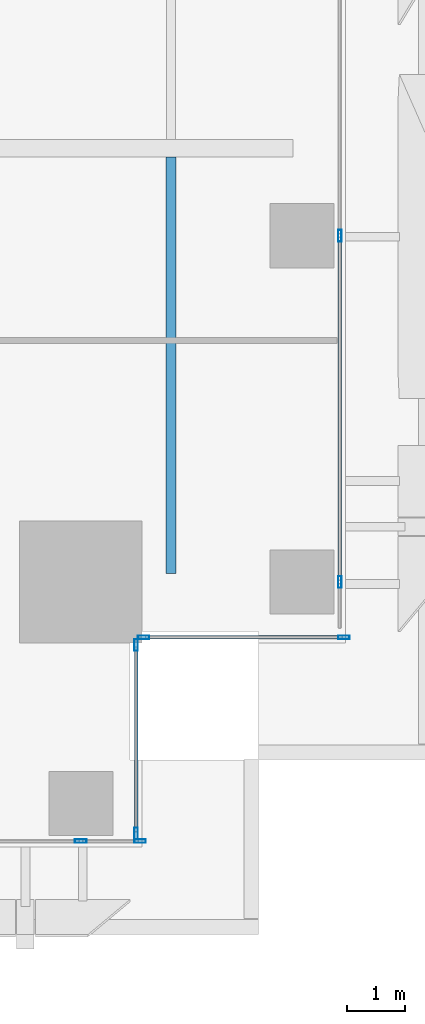
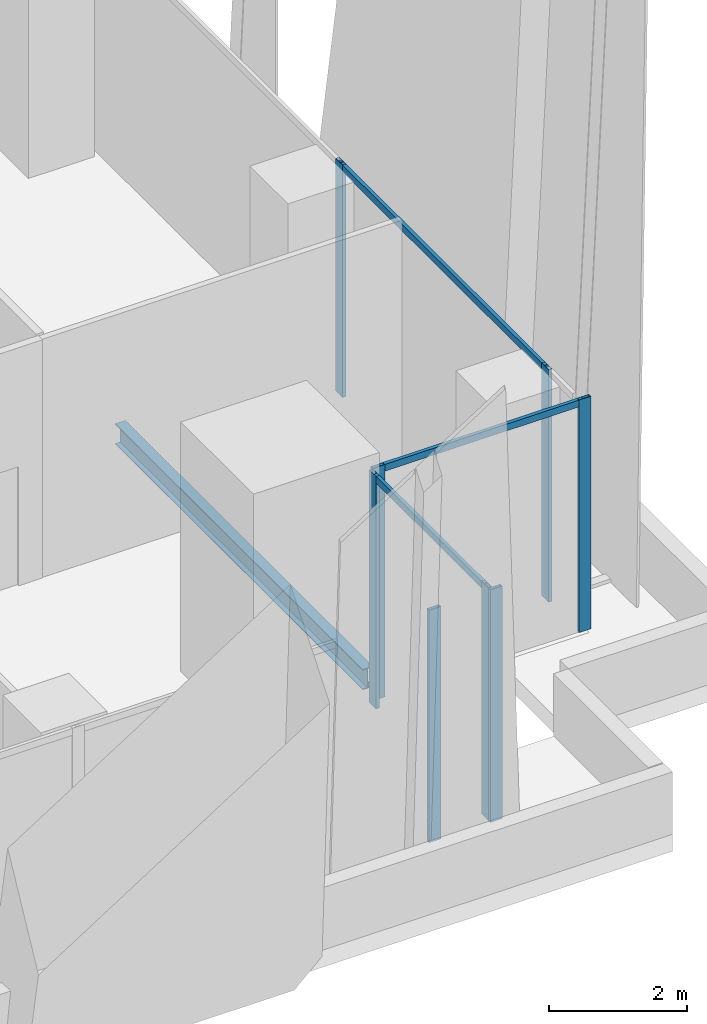
# One storey, part 9 of 37: 11 members, 1 beam, 4 elements without a shape of their own.
"""IFC4 building model written with IfcOpenShell, lengths in metres."""

from ifc_helpers import new_model, si_unit, direction, frame, origin, origin_2d, place, context, subcontext, project, spatial, hollow_rectangle, i_section, extrude, source, transform, mapped, material, material_profile, profile_set, type_object, element, aggregate, save


model = new_model("IFC4")

# Units and contexts
model_context = context("Model", 3, precision=1e-05, world=origin(), true_north=direction((0.0, 1.0)))
body_context = subcontext(model_context, "Body", "Model", "MODEL_VIEW")
ifc_project = project(units=[si_unit("LENGTHUNIT", "METRE"), si_unit("AREAUNIT", "SQUARE_METRE"), si_unit("VOLUMEUNIT", "CUBIC_METRE"), si_unit("PLANEANGLEUNIT", "RADIAN"), si_unit("MASSUNIT", "GRAM", prefix="KILO")], contexts=[model_context])

# Site, building, storey
site_placement = place(None, origin())
site = spatial("IfcSite", under=ifc_project, at=site_placement, CompositionType="ELEMENT")
building_placement = place(site_placement, origin())
building = spatial("IfcBuilding", under=site, at=building_placement, Name="Khomas Fold Tower", CompositionType="ELEMENT")
storey_placement = place(building_placement, frame((0.0, 0.0, 101.5)))
storey = spatial("IfcBuildingStorey", under=building, at=storey_placement, Name="L21", CompositionType="ELEMENT", Elevation=101.5)

# Beam
ifc_material_1 = material(Name="Steel S355", Category="steel")
ifc_material_profile_1 = material_profile(ifc_material_1, i_section(OverallWidth=0.169921875, OverallDepth=0.360107421875, WebThickness=0.008056640625, FlangeThickness=0.0126953125, at=origin_2d()), Name="IPE 360")
ifc_profile_set_1 = profile_set([ifc_material_profile_1], Name="Steel S355")
beam_type = type_object("IfcBeamType", Name="IPE 360 beam JB2", PredefinedType="BEAM", material=ifc_profile_set_1)
shared_shape_1 = source(origin(), body_context, "Body", "SweptSolid", [
    extrude(i_section(OverallWidth=0.169921875, OverallDepth=0.360107421875, WebThickness=0.008056640625, FlangeThickness=0.0126953125, at=origin_2d()), origin(), (0.0, 0.0, 1.0), 7.150146484375),
])
beam_placement = place(storey_placement, frame((49.5, 6.199951171875, -0.47998046875), z_axis=(0.0, 1.0, 0.0), x_axis=(-1.0, 0.0, 0.0)))
element("IfcBeam", 1, at=beam_placement, inside=storey, type_object=beam_type, Name="JB2", PredefinedType="BEAM", context=body_context, shape_type="MappedRepresentation", body=[
    mapped(shared_shape_1, transform((0.0, 0.0, 0.0))),
])

# Curtain wall, members
ifc_material_2 = material(Name="Aluminium framed double glazing", Category="aluminium")
curtain_wall_type = type_object("IfcCurtainWallType", Name="SK-Unitised clear-glass wall, growing floors CW1", PredefinedType="NOTDEFINED", material=ifc_material_2)
curtain_wall_1_placement = place(storey_placement, origin())
curtain_wall_1 = element("IfcCurtainWall", 2, at=curtain_wall_1_placement, inside=storey, type_object=curtain_wall_type, Name="CW1 run L21 00-0", PredefinedType="NOTDEFINED")
ifc_material_3 = material(Name="Aluminium", Category="aluminium")
ifc_material_profile_2 = material_profile(ifc_material_3, hollow_rectangle(XDim=0.06005859375, YDim=0.199951171875, WallThickness=0.00390625, at=origin_2d()), Name="SK-Unitised clear-glass wall, growing floors mullion CW1-M")
ifc_profile_set_2 = profile_set([ifc_material_profile_2], Name="Aluminium")
member_type_1 = type_object("IfcMemberType", Name="SK-Unitised clear-glass wall, growing floors mullion CW1-M", PredefinedType="MULLION", material=ifc_profile_set_2)
shared_shape_2 = source(origin(), body_context, "Body", "SweptSolid", [
    extrude(hollow_rectangle(XDim=0.06005859375, YDim=0.199951171875, WallThickness=0.00390625, at=origin_2d()), origin(), (0.0, 0.0, 1.0), 4.10009765625),
])
member_1_placement = place(storey_placement, frame((47.949951171875, 1.60009765625, 0.0), z_axis=(0.0, 0.0, 1.0), x_axis=(0.0, 1.0, 0.0)))
member_1 = element("IfcMember", 3, at=member_1_placement, type_object=member_type_1, Name="CW1 mullion 8", PredefinedType="MULLION", context=body_context, shape_type="MappedRepresentation", body=[
    mapped(shared_shape_2, transform((0.0, 0.0, 0.0))),
])
member_2_placement = place(storey_placement, frame((48.969970703125, 1.60009765625, 0.0), z_axis=(0.0, 0.0, 1.0), x_axis=(0.0, 1.0, 0.0)))
member_2 = element("IfcMember", 4, at=member_2_placement, type_object=member_type_1, Name="CW1 mullion 9", PredefinedType="MULLION", context=body_context, shape_type="MappedRepresentation", body=[
    mapped(shared_shape_2, transform((0.0, 0.0, 0.0))),
])
aggregate(curtain_wall_1, [member_1, member_2])

curtain_wall_2_placement = place(storey_placement, origin())
curtain_wall_2 = element("IfcCurtainWall", 5, at=curtain_wall_2_placement, inside=storey, type_object=curtain_wall_type, Name="CW1 corner return L21 01", PredefinedType="NOTDEFINED")
member_3_placement = place(storey_placement, frame((48.89990234375, 1.72998046875, 0.0), z_axis=(0.0, 0.0, 1.0), x_axis=(-1.0, 0.0, 0.0)))
member_3 = element("IfcMember", 6, at=member_3_placement, type_object=member_type_1, Name="CW1 mullion 1", PredefinedType="MULLION", context=body_context, shape_type="MappedRepresentation", body=[
    mapped(shared_shape_2, transform((0.0, 0.0, 0.0))),
])
member_4_placement = place(storey_placement, frame((48.89990234375, 4.969970703125, 0.0), z_axis=(0.0, 0.0, 1.0), x_axis=(-1.0, 0.0, 0.0)))
member_4 = element("IfcMember", 7, at=member_4_placement, type_object=member_type_1, Name="CW1 mullion 2", PredefinedType="MULLION", context=body_context, shape_type="MappedRepresentation", body=[
    mapped(shared_shape_2, transform((0.0, 0.0, 0.0))),
])

curtain_wall_3_placement = place(storey_placement, origin())
curtain_wall_3 = element("IfcCurtainWall", 8, at=curtain_wall_3_placement, inside=storey, type_object=curtain_wall_type, Name="CW1 corner return L21 02", PredefinedType="NOTDEFINED")
member_5_placement = place(storey_placement, frame((49.030029296875, 5.10009765625, 0.0), z_axis=(0.0, 0.0, 1.0), x_axis=(0.0, 1.0, 0.0)))
member_5 = element("IfcMember", 9, at=member_5_placement, type_object=member_type_1, Name="CW1 mullion 1", PredefinedType="MULLION", context=body_context, shape_type="MappedRepresentation", body=[
    mapped(shared_shape_2, transform((0.0, 0.0, 0.0))),
])
member_6_placement = place(storey_placement, frame((52.469970703125, 5.10009765625, 0.0), z_axis=(0.0, 0.0, 1.0), x_axis=(0.0, 1.0, 0.0)))
member_6 = element("IfcMember", 10, at=member_6_placement, type_object=member_type_1, Name="CW1 mullion 2", PredefinedType="MULLION", context=body_context, shape_type="MappedRepresentation", body=[
    mapped(shared_shape_2, transform((0.0, 0.0, 0.0))),
])

curtain_wall_4_placement = place(storey_placement, origin())
curtain_wall_4 = element("IfcCurtainWall", 11, at=curtain_wall_4_placement, inside=storey, type_object=curtain_wall_type, Name="CW1 run L21 03-0", PredefinedType="NOTDEFINED")
member_7_placement = place(storey_placement, frame((52.39990234375, 6.050048828125, 0.0), z_axis=(0.0, 0.0, 1.0), x_axis=(-1.0, 0.0, 0.0)))
member_7 = element("IfcMember", 12, at=member_7_placement, type_object=member_type_1, Name="CW1 mullion 2", PredefinedType="MULLION", context=body_context, shape_type="MappedRepresentation", body=[
    mapped(shared_shape_2, transform((0.0, 0.0, 0.0))),
])
member_8_placement = place(storey_placement, frame((52.39990234375, 12.0, 0.0), z_axis=(0.0, 0.0, 1.0), x_axis=(-1.0, 0.0, 0.0)))
member_8 = element("IfcMember", 13, at=member_8_placement, type_object=member_type_1, Name="CW1 mullion 3", PredefinedType="MULLION", context=body_context, shape_type="MappedRepresentation", body=[
    mapped(shared_shape_2, transform((0.0, 0.0, 0.0))),
])
ifc_material_4 = material(Name="Aluminium", Category="aluminium")
ifc_material_profile_3 = material_profile(ifc_material_4, hollow_rectangle(XDim=0.06005859375, YDim=0.1201171875, WallThickness=0.00390625, at=origin_2d()), Name="SK-Unitised clear-glass wall, growing floors transom CW1-T")
ifc_profile_set_3 = profile_set([ifc_material_profile_3], Name="Aluminium")
member_type_2 = type_object("IfcMemberType", Name="SK-Unitised clear-glass wall, growing floors transom CW1-T", PredefinedType="USERDEFINED", material=ifc_profile_set_3)
shared_shape_3 = source(origin(), body_context, "Body", "SweptSolid", [
    extrude(hollow_rectangle(XDim=0.06005859375, YDim=0.1201171875, WallThickness=0.00390625, at=origin_2d()), origin(), (0.0, 0.0, 1.0), 5.889892578125),
])
member_9_placement = place(storey_placement, frame((52.39990234375, 6.080078125, 4.0400390625), z_axis=(0.0, 1.0, 0.0), x_axis=(-1.0, 0.0, 0.0)))
member_9 = element("IfcMember", 14, at=member_9_placement, type_object=member_type_2, Name="CW1 transom 2", ObjectType="TRANSOM", PredefinedType="USERDEFINED", context=body_context, shape_type="MappedRepresentation", body=[
    mapped(shared_shape_3, transform((0.0, 0.0, 0.0))),
])
aggregate(curtain_wall_4, [member_7, member_8, member_9])

# Member
shared_shape_4 = source(origin(), body_context, "Body", "SweptSolid", [
    extrude(hollow_rectangle(XDim=0.06005859375, YDim=0.1201171875, WallThickness=0.00390625, at=origin_2d()), origin(), (0.0, 0.0, 1.0), 3.179931640625),
])
member_10_placement = place(storey_placement, frame((48.89990234375, 1.760009765625, 4.0400390625), z_axis=(0.0, 1.0, 0.0), x_axis=(-1.0, 0.0, 0.0)))
member_10 = element("IfcMember", 15, at=member_10_placement, type_object=member_type_2, Name="CW1 transom 1", ObjectType="TRANSOM", PredefinedType="USERDEFINED", context=body_context, shape_type="MappedRepresentation", body=[
    mapped(shared_shape_4, transform((0.0, 0.0, 0.0))),
])

aggregate(curtain_wall_2, [member_3, member_4, member_10])

shared_shape_5 = source(origin(), body_context, "Body", "SweptSolid", [
    extrude(hollow_rectangle(XDim=0.06005859375, YDim=0.1201171875, WallThickness=0.00390625, at=origin_2d()), origin(), (0.0, 0.0, 1.0), 3.3798828125),
])
member_11_placement = place(storey_placement, frame((49.06005859375, 5.10009765625, 4.0400390625), z_axis=(1.0, 0.0, 0.0), x_axis=(0.0, 1.0, 0.0)))
member_11 = element("IfcMember", 16, at=member_11_placement, type_object=member_type_2, Name="CW1 transom 1", ObjectType="TRANSOM", PredefinedType="USERDEFINED", context=body_context, shape_type="MappedRepresentation", body=[
    mapped(shared_shape_5, transform((0.0, 0.0, 0.0))),
])

aggregate(curtain_wall_3, [member_5, member_6, member_11])

save(model, "model.ifc")
